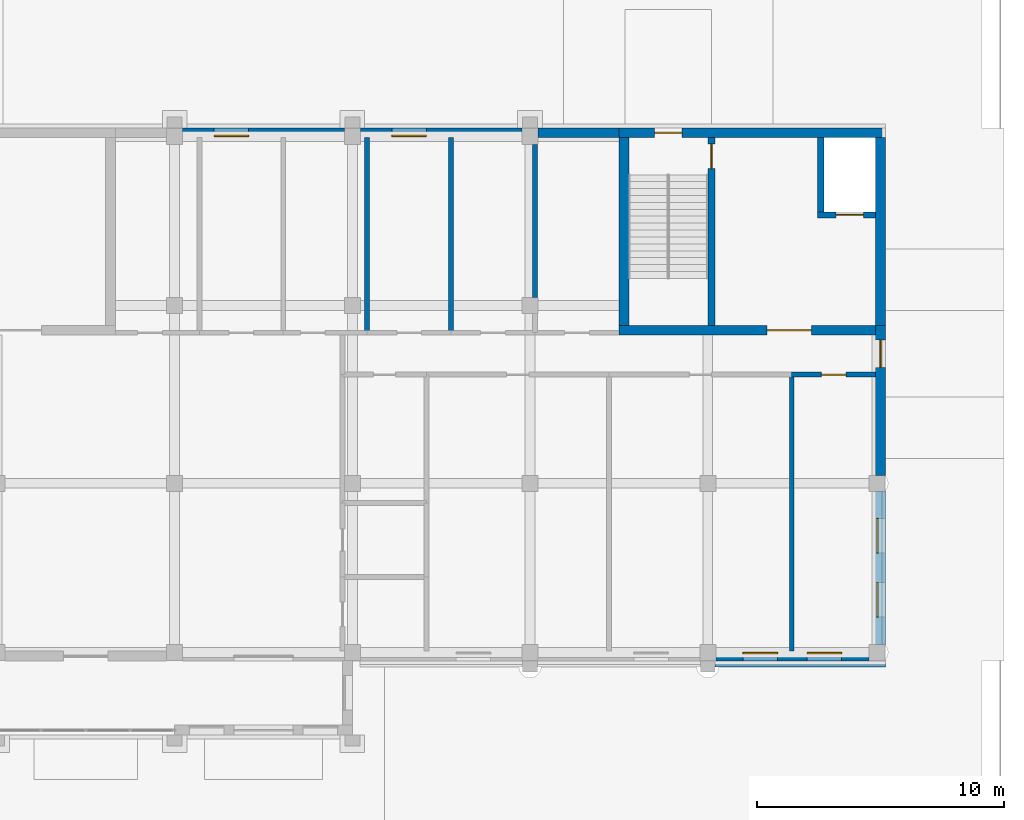
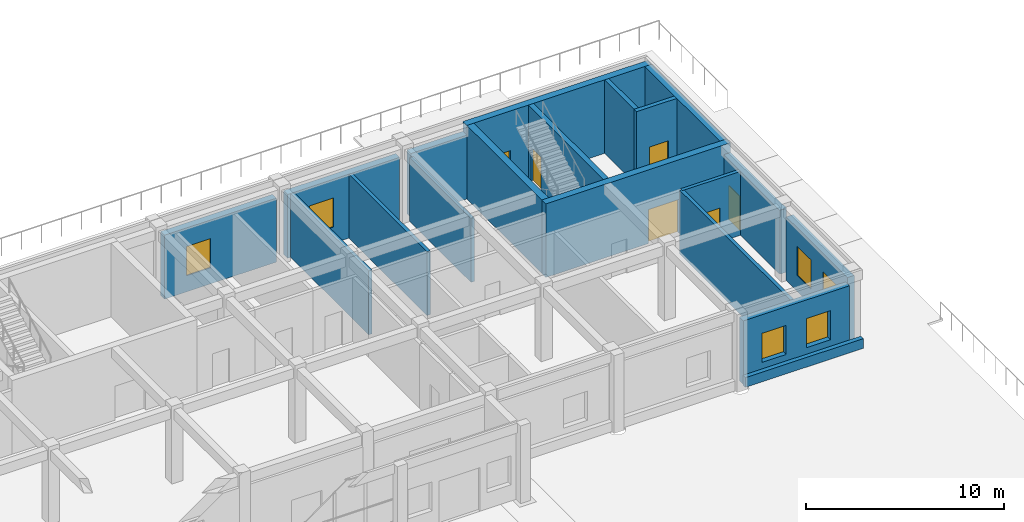
# One storey, part 102 of 131: 19 walls, 6 doors, 6 windows, 12 openings.
"""IFC4 building model written with IfcOpenShell, lengths in metres."""

from ifc_helpers import new_model, si_unit, direction, frame, frame_2d, origin, place, context, subcontext, project, spatial, rectangle, extrude, material, layer, layer_set, type_object, element, fill, save


model = new_model("IFC4")

# Units and contexts
model_context = context("Model", 3, precision=1e-05, world=origin(), true_north=direction((0.0, 1.0)))
body_context = subcontext(model_context, "Body", "Model", "MODEL_VIEW")
ifc_project = project(units=[si_unit("LENGTHUNIT", "METRE"), si_unit("AREAUNIT", "SQUARE_METRE"), si_unit("VOLUMEUNIT", "CUBIC_METRE"), si_unit("PLANEANGLEUNIT", "RADIAN"), si_unit("MASSUNIT", "GRAM", prefix="KILO")], contexts=[model_context])

# Site, building, storey
site_placement = place(None, origin())
site = spatial("IfcSite", under=ifc_project, at=site_placement, CompositionType="ELEMENT")
building_placement = place(site_placement, origin())
building = spatial("IfcBuilding", under=site, at=building_placement, Name="Alderwick Market Hall", CompositionType="ELEMENT")
storey_placement = place(building_placement, frame((0.0, 0.0, 4.800048828125)))
storey = spatial("IfcBuildingStorey", under=building, at=storey_placement, Name="L00", CompositionType="ELEMENT", Elevation=4.800048828125)

# Wall, opening, door
ifc_material_1 = material(Name="Concrete 5000 psi (f'c 35 MPa)", Category="concrete")
ifc_layer_1 = layer(ifc_material_1, 0.39990234375)
ifc_layer_set_1 = layer_set([ifc_layer_1], Name="Concrete 5000 psi (f'c 35 MPa)")
wall_type_1 = type_object("IfcWallType", Name="F Core Wall Concrete 5000 psi 400", PredefinedType="SHEAR", material=ifc_layer_set_1)
wall_1_placement = place(storey_placement, frame((219.60009765625, 151.0, 0.0), z_axis=(0.0, 0.0, 1.0), x_axis=(1.0, 0.0, 0.0)))
wall_1 = element("IfcWall", 1, at=wall_1_placement, inside=storey, type_object=wall_type_1, Name="F.wall.L00.fac.back.11", PredefinedType="SHEAR", context=body_context, shape_type="SweptSolid", body=[
    extrude(rectangle(XDim=10.7998046875, YDim=0.39990234375, at=frame_2d((5.39990234375, 0.0))), origin(), (0.0, 0.0, 1.0), 4.550048828125),
])
opening_1_placement = place(wall_1_placement, frame((1.449951171875, 0.0, 0.0)))
opening_1 = element("IfcOpeningElement", 2, at=opening_1_placement, cuts=wall_1, Name="Opening F-D043", PredefinedType="OPENING", context=body_context, shape_type="SweptSolid", body=[
    extrude(rectangle(XDim=1.10009765625, YDim=2.10009765625, at=frame_2d((0.550048828125, 1.050048828125))), frame((0.0, 0.2099609375, 0.0), z_axis=(0.0, -1.0, 0.0), x_axis=(1.0, 0.0, 0.0)), (0.0, 0.0, 1.0), 0.419921875),
])
ifc_material_2 = material(Name="Steel, insulated", Category="steel")
door_type_1 = type_object("IfcDoorType", Name="F Exit Door FD60 1100x2100", OperationType="NOTDEFINED", PredefinedType="DOOR", material=ifc_material_2)
door_1_placement = place(opening_1_placement, origin())
door_1 = element("IfcDoor", 3, at=door_1_placement, inside=storey, type_object=door_type_1, Name="F.door.L00.043", OperationType="NOTDEFINED", OverallHeight=2.10009765625, OverallWidth=1.10009765625, PredefinedType="DOOR", context=body_context, shape_type="SweptSolid", body=[
    extrude(rectangle(XDim=1.10009765625, YDim=2.10009765625, at=frame_2d((0.550048828125, 1.050048828125))), frame((0.0, 0.02490234375, 0.0), z_axis=(0.0, -1.0, 0.0), x_axis=(1.0, 0.0, 0.0)), (0.0, 0.0, 1.0), 0.050048828125),
])
fill(opening_1, door_1)

# Wall
wall_2_placement = place(storey_placement, frame((230.199951171875, 150.800048828125, 0.0), z_axis=(0.0, 0.0, 1.0), x_axis=(0.0, -1.0, 0.0)))
element("IfcWall", 4, at=wall_2_placement, inside=storey, type_object=wall_type_1, Name="F.wall.L00.fac.east.03", PredefinedType="SHEAR", context=body_context, shape_type="SweptSolid", body=[
    extrude(rectangle(XDim=7.60009765625, YDim=0.39990234375, at=frame_2d((3.800048828125, 0.0))), origin(), (0.0, 0.0, 1.0), 4.550048828125),
])

# Wall, opening, door
wall_3_placement = place(storey_placement, frame((219.60009765625, 143.0, 0.0), z_axis=(0.0, 0.0, 1.0), x_axis=(1.0, 0.0, 0.0)))
wall_3 = element("IfcWall", 5, at=wall_3_placement, inside=storey, type_object=wall_type_1, Name="F.wall.L00.core.C.front.01", PredefinedType="SHEAR", context=body_context, shape_type="SweptSolid", body=[
    extrude(rectangle(XDim=10.7998046875, YDim=0.39990234375, at=frame_2d((5.39990234375, 0.0))), origin(), (0.0, 0.0, 1.0), 4.550048828125),
])
opening_2_placement = place(wall_3_placement, frame((6.0, 0.0, 0.0)))
opening_2 = element("IfcOpeningElement", 6, at=opening_2_placement, cuts=wall_3, Name="Opening F-D041", PredefinedType="OPENING", context=body_context, shape_type="SweptSolid", body=[
    extrude(rectangle(XDim=1.800048828125, YDim=2.10009765625, at=frame_2d((0.89990234375, 1.050048828125))), frame((0.0, 0.2099609375, 0.0), z_axis=(0.0, -1.0, 0.0), x_axis=(1.0, 0.0, 0.0)), (0.0, 0.0, 1.0), 0.419921875),
])
door_type_2 = type_object("IfcDoorType", Name="F Fire Door Pair FD90 1800x2100", OperationType="NOTDEFINED", PredefinedType="DOOR", material=ifc_material_2)
door_2_placement = place(opening_2_placement, origin())
door_2 = element("IfcDoor", 7, at=door_2_placement, inside=storey, type_object=door_type_2, Name="F.door.L00.041", OperationType="NOTDEFINED", OverallHeight=2.10009765625, OverallWidth=1.800048828125, PredefinedType="DOOR", context=body_context, shape_type="SweptSolid", body=[
    extrude(rectangle(XDim=1.800048828125, YDim=2.10009765625, at=frame_2d((0.89990234375, 1.050048828125))), frame((0.0, 0.02490234375, 0.0), z_axis=(0.0, -1.0, 0.0), x_axis=(1.0, 0.0, 0.0)), (0.0, 0.0, 1.0), 0.050048828125),
])
fill(opening_2, door_2)

# Wall
wall_4_placement = place(storey_placement, frame((219.800048828125, 143.199951171875, 0.0), z_axis=(0.0, 0.0, 1.0), x_axis=(0.0, 1.0, 0.0)))
element("IfcWall", 8, at=wall_4_placement, inside=storey, type_object=wall_type_1, Name="F.wall.L00.core.C.west.01", PredefinedType="SHEAR", context=body_context, shape_type="SweptSolid", body=[
    extrude(rectangle(XDim=7.60009765625, YDim=0.39990234375, at=frame_2d((3.800048828125, 0.0))), origin(), (0.0, 0.0, 1.0), 4.550048828125),
])

# Wall, openings, windows
ifc_layer_2 = layer(ifc_material_1, 0.39990234375)
ifc_layer_set_2 = layer_set([ifc_layer_2], Name="Concrete 5000 psi (f'c 35 MPa)")
wall_type_2 = type_object("IfcWallType", Name="F End Shear Wall Concrete 5000 psi 400", PredefinedType="SHEAR", material=ifc_layer_set_2)
wall_5_placement = place(storey_placement, frame((230.199951171875, 136.47509765625, 0.0), z_axis=(0.0, 0.0, 1.0), x_axis=(0.0, -1.0, 0.0)))
wall_5 = element("IfcWall", 9, at=wall_5_placement, inside=storey, type_object=wall_type_2, Name="F.wall.L00.fac.east.01", PredefinedType="SHEAR", context=body_context, shape_type="SweptSolid", body=[
    extrude(rectangle(XDim=6.2001953125, YDim=0.39990234375, at=frame_2d((3.10009765625, 0.0))), origin(), (0.0, 0.0, 1.0), 3.949951171875),
])
opening_3_placement = place(wall_5_placement, frame((1.10009765625, 0.0, 1.0)))
opening_3 = element("IfcOpeningElement", 10, at=opening_3_placement, cuts=wall_5, Name="Opening F-W018", PredefinedType="OPENING", context=body_context, shape_type="SweptSolid", body=[
    extrude(rectangle(XDim=1.39990234375, YDim=1.800048828125, at=frame_2d((0.699951171875, 0.89990234375))), frame((0.0, 0.2099609375, 0.0), z_axis=(0.0, -1.0, 0.0), x_axis=(1.0, 0.0, 0.0)), (0.0, 0.0, 1.0), 0.419921875),
])
opening_4_placement = place(wall_5_placement, frame((3.699951171875, 0.0, 1.0)))
opening_4 = element("IfcOpeningElement", 11, at=opening_4_placement, cuts=wall_5, Name="Opening F-W019", PredefinedType="OPENING", context=body_context, shape_type="SweptSolid", body=[
    extrude(rectangle(XDim=1.39990234375, YDim=1.800048828125, at=frame_2d((0.699951171875, 0.89990234375))), frame((0.0, 0.2099609375, 0.0), z_axis=(0.0, -1.0, 0.0), x_axis=(1.0, 0.0, 0.0)), (0.0, 0.0, 1.0), 0.419921875),
])
ifc_material_3 = material(Name="Aluminium frame, double glazing", Category="aluminium")
window_type = type_object("IfcWindowType", Name="F Base Window 1400x1800", PartitioningType="SINGLE_PANEL", PredefinedType="WINDOW", material=ifc_material_3)
window_1_placement = place(opening_3_placement, origin())
window_1 = element("IfcWindow", 12, at=window_1_placement, inside=storey, type_object=window_type, Name="F.win.L00.018", OverallHeight=1.800048828125, OverallWidth=1.39990234375, PartitioningType="SINGLE_PANEL", PredefinedType="WINDOW", context=body_context, shape_type="SweptSolid", body=[
    extrude(rectangle(XDim=1.39990234375, YDim=1.800048828125, at=frame_2d((0.699951171875, 0.89990234375))), frame((0.0, -0.090087890625, 0.0), z_axis=(0.0, -1.0, 0.0), x_axis=(1.0, 0.0, 0.0)), (0.0, 0.0, 1.0), 0.06005859375),
])
fill(opening_3, window_1)
window_2_placement = place(opening_4_placement, origin())
window_2 = element("IfcWindow", 13, at=window_2_placement, inside=storey, type_object=window_type, Name="F.win.L00.019", OverallHeight=1.800048828125, OverallWidth=1.39990234375, PartitioningType="SINGLE_PANEL", PredefinedType="WINDOW", context=body_context, shape_type="SweptSolid", body=[
    extrude(rectangle(XDim=1.39990234375, YDim=1.800048828125, at=frame_2d((0.699951171875, 0.89990234375))), frame((0.0, -0.090087890625, 0.0), z_axis=(0.0, -1.0, 0.0), x_axis=(1.0, 0.0, 0.0)), (0.0, 0.0, 1.0), 0.06005859375),
])
fill(opening_4, window_2)

# Wall, opening, door
wall_6_placement = place(storey_placement, frame((230.199951171875, 143.199951171875, 0.0), z_axis=(0.0, 0.0, 1.0), x_axis=(0.0, -1.0, 0.0)))
wall_6 = element("IfcWall", 14, at=wall_6_placement, inside=storey, type_object=wall_type_2, Name="F.wall.L00.fac.east.02", PredefinedType="SHEAR", context=body_context, shape_type="SweptSolid", body=[
    extrude(rectangle(XDim=6.074951171875, YDim=0.39990234375, at=frame_2d((3.03759765625, 0.0))), origin(), (0.0, 0.0, 1.0), 3.949951171875),
])
opening_5_placement = place(wall_6_placement, frame((0.60009765625, 0.0, 0.0)))
opening_5 = element("IfcOpeningElement", 15, at=opening_5_placement, cuts=wall_6, Name="Opening F-D007", PredefinedType="OPENING", context=body_context, shape_type="SweptSolid", body=[
    extrude(rectangle(XDim=1.10009765625, YDim=2.10009765625, at=frame_2d((0.550048828125, 1.050048828125))), frame((0.0, 0.2099609375, 0.0), z_axis=(0.0, -1.0, 0.0), x_axis=(1.0, 0.0, 0.0)), (0.0, 0.0, 1.0), 0.419921875),
])
door_3_placement = place(opening_5_placement, origin())
door_3 = element("IfcDoor", 16, at=door_3_placement, inside=storey, type_object=door_type_1, Name="F.door.L00.007", OperationType="NOTDEFINED", OverallHeight=2.10009765625, OverallWidth=1.10009765625, PredefinedType="DOOR", context=body_context, shape_type="SweptSolid", body=[
    extrude(rectangle(XDim=1.10009765625, YDim=2.10009765625, at=frame_2d((0.550048828125, 1.050048828125))), frame((0.0, 0.02490234375, 0.0), z_axis=(0.0, -1.0, 0.0), x_axis=(1.0, 0.0, 0.0)), (0.0, 0.0, 1.0), 0.050048828125),
])
fill(opening_5, door_3)

ifc_material_4 = material(Name="Gypsum board on steel studs", Category="steel")
ifc_layer_3 = layer(ifc_material_4, 0.199951171875)
ifc_layer_set_3 = layer_set([ifc_layer_3], Name="Gypsum board on steel studs")
wall_type_3 = type_object("IfcWallType", Name="F Fire Partition Wall 200", PredefinedType="PARTITIONING", material=ifc_layer_set_3)
wall_7_placement = place(storey_placement, frame((226.60009765625, 141.199951171875, 0.0), z_axis=(0.0, 0.0, 1.0), x_axis=(1.0, 0.0, 0.0)))
wall_7 = element("IfcWall", 17, at=wall_7_placement, inside=storey, type_object=wall_type_3, Name="F.wall.L00.part.006", PredefinedType="PARTITIONING", context=body_context, shape_type="SweptSolid", body=[
    extrude(rectangle(XDim=3.39990234375, YDim=0.199951171875, at=frame_2d((1.699951171875, 0.0))), origin(), (0.0, 0.0, 1.0), 3.949951171875),
])
opening_6_placement = place(wall_7_placement, frame((1.199951171875, 0.0, 0.0)))
opening_6 = element("IfcOpeningElement", 18, at=opening_6_placement, cuts=wall_7, Name="Opening F-D049", PredefinedType="OPENING", context=body_context, shape_type="SweptSolid", body=[
    extrude(rectangle(XDim=1.0, YDim=2.10009765625, at=frame_2d((0.5, 1.050048828125))), frame((0.0, 0.10986328125, 0.0), z_axis=(0.0, -1.0, 0.0), x_axis=(1.0, 0.0, 0.0)), (0.0, 0.0, 1.0), 0.219970703125),
])
door_type_3 = type_object("IfcDoorType", Name="F Fire Door FD60 1000x2100", OperationType="NOTDEFINED", PredefinedType="DOOR", material=ifc_material_2)
door_4_placement = place(opening_6_placement, origin())
door_4 = element("IfcDoor", 19, at=door_4_placement, inside=storey, type_object=door_type_3, Name="F.door.L00.049", OperationType="NOTDEFINED", OverallHeight=2.10009765625, OverallWidth=1.0, PredefinedType="DOOR", context=body_context, shape_type="SweptSolid", body=[
    extrude(rectangle(XDim=1.0, YDim=2.10009765625, at=frame_2d((0.5, 1.050048828125))), frame((0.0, 0.02490234375, 0.0), z_axis=(0.0, -1.0, 0.0), x_axis=(1.0, 0.0, 0.0)), (0.0, 0.0, 1.0), 0.050048828125),
])
fill(opening_6, door_4)

# Walls
wall_8_placement = place(storey_placement, frame((226.60009765625, 130.0, 0.0), z_axis=(0.0, 0.0, 1.0), x_axis=(0.0, 1.0, 0.0)))
element("IfcWall", 20, at=wall_8_placement, inside=storey, type_object=wall_type_3, Name="F.wall.L00.part.038", PredefinedType="PARTITIONING", context=body_context, shape_type="SweptSolid", body=[
    extrude(rectangle(XDim=11.199951171875, YDim=0.199951171875, at=frame_2d((5.60009765625, 0.0))), origin(), (0.0, 0.0, 1.0), 3.949951171875),
])
ifc_layer_4 = layer(ifc_material_1, 0.25)
ifc_layer_set_4 = layer_set([ifc_layer_4], Name="Concrete 5000 psi (f'c 35 MPa)")
wall_type_4 = type_object("IfcWallType", Name="F Lift Shaft Wall Concrete 5000 psi 250", PredefinedType="SHEAR", material=ifc_layer_set_4)
wall_9_placement = place(storey_placement, frame((227.77490234375, 147.550048828125, 0.0), z_axis=(0.0, 0.0, 1.0), x_axis=(0.0, 1.0, 0.0)))
element("IfcWall", 21, at=wall_9_placement, inside=storey, type_object=wall_type_4, Name="F.wall.L00.core.C.shaftw.01", PredefinedType="SHEAR", context=body_context, shape_type="SweptSolid", body=[
    extrude(rectangle(XDim=3.25, YDim=0.25, at=frame_2d((1.625, 0.0))), origin(), (0.0, 0.0, 1.0), 4.550048828125),
])

# Wall, opening, door
wall_10_placement = place(storey_placement, frame((227.64990234375, 147.675048828125, 0.0), z_axis=(0.0, 0.0, 1.0), x_axis=(1.0, 0.0, 0.0)))
wall_10 = element("IfcWall", 22, at=wall_10_placement, inside=storey, type_object=wall_type_4, Name="F.wall.L00.core.C.shaftf.01", PredefinedType="SHEAR", context=body_context, shape_type="SweptSolid", body=[
    extrude(rectangle(XDim=2.35009765625, YDim=0.25, at=frame_2d((1.175048828125, 0.0))), origin(), (0.0, 0.0, 1.0), 4.550048828125),
])
opening_7_placement = place(wall_10_placement, frame((0.75, 0.0, 0.0)))
opening_7 = element("IfcOpeningElement", 23, at=opening_7_placement, cuts=wall_10, Name="Opening F-D042", PredefinedType="OPENING", context=body_context, shape_type="SweptSolid", body=[
    extrude(rectangle(XDim=1.10009765625, YDim=2.10009765625, at=frame_2d((0.550048828125, 1.050048828125))), frame((0.0, 0.135009765625, 0.0), z_axis=(0.0, -1.0, 0.0), x_axis=(1.0, 0.0, 0.0)), (0.0, 0.0, 1.0), 0.27001953125),
])
ifc_material_5 = material(Name="Stainless steel", Category="steel")
door_type_4 = type_object("IfcDoorType", Name="F Lift Landing Door 1100x2100", OperationType="SLIDING_TO_LEFT", PredefinedType="DOOR", material=ifc_material_5)
door_5_placement = place(opening_7_placement, origin())
door_5 = element("IfcDoor", 24, at=door_5_placement, inside=storey, type_object=door_type_4, Name="F.door.L00.042", OperationType="SLIDING_TO_LEFT", OverallHeight=2.10009765625, OverallWidth=1.10009765625, PredefinedType="DOOR", context=body_context, shape_type="SweptSolid", body=[
    extrude(rectangle(XDim=1.10009765625, YDim=2.10009765625, at=frame_2d((0.550048828125, 1.050048828125))), frame((0.0, 0.02490234375, 0.0), z_axis=(0.0, -1.0, 0.0), x_axis=(1.0, 0.0, 0.0)), (0.0, 0.0, 1.0), 0.050048828125),
])
fill(opening_7, door_5)

# Walls
ifc_layer_5 = layer(ifc_material_4, 0.199951171875)
ifc_layer_set_5 = layer_set([ifc_layer_5], Name="Gypsum board on steel studs")
wall_type_5 = type_object("IfcWallType", Name="F Partition Wall 200", PredefinedType="PARTITIONING", material=ifc_layer_set_5)
for number, where, z_axis, x_axis, name in (
    (25, (209.39990234375, 142.89990234375, 0.0), (0.0, 0.0, 1.0), (0.0, 1.0, 0.0), "F.wall.L00.part.030"),
    (26, (212.800048828125, 142.89990234375, 0.0), (0.0, 0.0, 1.0), (0.0, 1.0, 0.0), "F.wall.L00.part.034"),
):
    element("IfcWall", number, at=place(storey_placement, frame(where, z_axis=z_axis, x_axis=x_axis)), inside=storey, type_object=wall_type_5, Name=name, PredefinedType="PARTITIONING", context=body_context, shape_type="SweptSolid", body=[
        extrude(rectangle(XDim=7.900146484375, YDim=0.199951171875, at=frame_2d((3.9501953125, 0.0))), origin(), (0.0, 0.0, 1.0), 3.949951171875),
    ])
wall_11_placement = place(storey_placement, frame((216.199951171875, 144.324951171875, 0.0), z_axis=(0.0, 0.0, 1.0), x_axis=(0.0, 1.0, 0.0)))
element("IfcWall", 27, at=wall_11_placement, inside=storey, type_object=wall_type_5, Name="F.wall.L00.part.036", PredefinedType="PARTITIONING", context=body_context, shape_type="SweptSolid", body=[
    extrude(rectangle(XDim=6.199951171875, YDim=0.199951171875, at=frame_2d((3.10009765625, 0.0))), origin(), (0.0, 0.0, 1.0), 3.949951171875),
])
ifc_material_6 = material(Name="Cast stone 5000 psi", Category="masonry")
ifc_layer_6 = layer(ifc_material_6, 0.25)
ifc_layer_set_6 = layer_set([ifc_layer_6], Name="Cast stone 5000 psi")
wall_type_6 = type_object("IfcWallType", Name="F Plinth Band Cast Stone 250x600", PredefinedType="SOLIDWALL", material=ifc_layer_set_6)
wall_12_placement = place(storey_placement, frame((230.39990234375, 129.47509765625, 0.0), z_axis=(0.0, 0.0, 1.0), x_axis=(-1.0, 0.0, 0.0)))
element("IfcWall", 28, at=wall_12_placement, inside=storey, type_object=wall_type_6, Name="F.wall.L00.plinth.front.07", PredefinedType="SOLIDWALL", context=body_context, shape_type="SweptSolid", body=[
    extrude(rectangle(XDim=6.89990234375, YDim=0.25, at=frame_2d((3.449951171875, 0.0))), origin(), (0.0, 0.0, 1.0), 0.599853515625),
])

# Wall, opening, door
ifc_layer_7 = layer(ifc_material_1, 0.300048828125)
ifc_layer_set_7 = layer_set([ifc_layer_7], Name="Concrete 5000 psi (f'c 35 MPa)")
wall_type_7 = type_object("IfcWallType", Name="F Stair Divider Wall Concrete 5000 psi 300", PredefinedType="SHEAR", material=ifc_layer_set_7)
wall_13_placement = place(storey_placement, frame((223.35009765625, 143.199951171875, 0.0), z_axis=(0.0, 0.0, 1.0), x_axis=(0.0, 1.0, 0.0)))
wall_13 = element("IfcWall", 29, at=wall_13_placement, inside=storey, type_object=wall_type_7, Name="F.wall.L00.core.C.div.01", PredefinedType="SHEAR", context=body_context, shape_type="SweptSolid", body=[
    extrude(rectangle(XDim=7.60009765625, YDim=0.300048828125, at=frame_2d((3.800048828125, 0.0))), origin(), (0.0, 0.0, 1.0), 4.550048828125),
])
opening_8_placement = place(wall_13_placement, frame((6.35009765625, 0.0, 0.0)))
opening_8 = element("IfcOpeningElement", 30, at=opening_8_placement, cuts=wall_13, Name="Opening F-D040", PredefinedType="OPENING", context=body_context, shape_type="SweptSolid", body=[
    extrude(rectangle(XDim=1.0, YDim=2.10009765625, at=frame_2d((0.5, 1.050048828125))), frame((0.0, 0.159912109375, 0.0), z_axis=(0.0, -1.0, 0.0), x_axis=(1.0, 0.0, 0.0)), (0.0, 0.0, 1.0), 0.320068359375),
])
door_type_5 = type_object("IfcDoorType", Name="F Fire Door FD90 1000x2100", OperationType="NOTDEFINED", PredefinedType="DOOR", material=ifc_material_2)
door_6_placement = place(opening_8_placement, origin())
door_6 = element("IfcDoor", 31, at=door_6_placement, inside=storey, type_object=door_type_5, Name="F.door.L00.040", OperationType="NOTDEFINED", OverallHeight=2.10009765625, OverallWidth=1.0, PredefinedType="DOOR", context=body_context, shape_type="SweptSolid", body=[
    extrude(rectangle(XDim=1.0, YDim=2.10009765625, at=frame_2d((0.5, 1.050048828125))), frame((0.0, 0.02490234375, 0.0), z_axis=(0.0, -1.0, 0.0), x_axis=(1.0, 0.0, 0.0)), (0.0, 0.0, 1.0), 0.050048828125),
])
fill(opening_8, door_6)

# Wall, openings, windows
ifc_material_7 = material(Name="Glazed terra-cotta ASTM C126 Grade S")
ifc_layer_8 = layer(ifc_material_7, 0.39990234375)
ifc_layer_set_8 = layer_set([ifc_layer_8], Name="Glazed terra-cotta ASTM C126 Grade S")
wall_type_8 = type_object("IfcWallType", Name="F Terra-cotta Faced Wall 400", PredefinedType="SOLIDWALL", material=ifc_layer_set_8)
wall_14_placement = place(storey_placement, frame((229.72509765625, 129.800048828125, 0.0), z_axis=(0.0, 0.0, 1.0), x_axis=(-1.0, 0.0, 0.0)))
wall_14 = element("IfcWall", 32, at=wall_14_placement, inside=storey, type_object=wall_type_8, Name="F.wall.L00.fac.front.10", PredefinedType="SOLIDWALL", context=body_context, shape_type="SweptSolid", body=[
    extrude(rectangle(XDim=6.2001953125, YDim=0.39990234375, at=frame_2d((3.10009765625, 0.0))), origin(), (0.0, 0.0, 1.0), 3.949951171875),
])
opening_9_placement = place(wall_14_placement, frame((1.10009765625, 0.0, 1.0)))
opening_9 = element("IfcOpeningElement", 33, at=opening_9_placement, cuts=wall_14, Name="Opening F-W011", PredefinedType="OPENING", context=body_context, shape_type="SweptSolid", body=[
    extrude(rectangle(XDim=1.39990234375, YDim=1.800048828125, at=frame_2d((0.699951171875, 0.89990234375))), frame((0.0, 0.2099609375, 0.0), z_axis=(0.0, -1.0, 0.0), x_axis=(1.0, 0.0, 0.0)), (0.0, 0.0, 1.0), 0.419921875),
])
opening_10_placement = place(wall_14_placement, frame((3.699951171875, 0.0, 1.0)))
opening_10 = element("IfcOpeningElement", 34, at=opening_10_placement, cuts=wall_14, Name="Opening F-W012", PredefinedType="OPENING", context=body_context, shape_type="SweptSolid", body=[
    extrude(rectangle(XDim=1.39990234375, YDim=1.800048828125, at=frame_2d((0.699951171875, 0.89990234375))), frame((0.0, 0.2099609375, 0.0), z_axis=(0.0, -1.0, 0.0), x_axis=(1.0, 0.0, 0.0)), (0.0, 0.0, 1.0), 0.419921875),
])
window_3_placement = place(opening_9_placement, origin())
window_3 = element("IfcWindow", 35, at=window_3_placement, inside=storey, type_object=window_type, Name="F.win.L00.011", OverallHeight=1.800048828125, OverallWidth=1.39990234375, PartitioningType="SINGLE_PANEL", PredefinedType="WINDOW", context=body_context, shape_type="SweptSolid", body=[
    extrude(rectangle(XDim=1.39990234375, YDim=1.800048828125, at=frame_2d((0.699951171875, 0.89990234375))), frame((0.0, -0.090087890625, 0.0), z_axis=(0.0, -1.0, 0.0), x_axis=(1.0, 0.0, 0.0)), (0.0, 0.0, 1.0), 0.06005859375),
])
fill(opening_9, window_3)
window_4_placement = place(opening_10_placement, origin())
window_4 = element("IfcWindow", 36, at=window_4_placement, inside=storey, type_object=window_type, Name="F.win.L00.012", OverallHeight=1.800048828125, OverallWidth=1.39990234375, PartitioningType="SINGLE_PANEL", PredefinedType="WINDOW", context=body_context, shape_type="SweptSolid", body=[
    extrude(rectangle(XDim=1.39990234375, YDim=1.800048828125, at=frame_2d((0.699951171875, 0.89990234375))), frame((0.0, -0.090087890625, 0.0), z_axis=(0.0, -1.0, 0.0), x_axis=(1.0, 0.0, 0.0)), (0.0, 0.0, 1.0), 0.06005859375),
])
fill(opening_10, window_4)

# Wall, opening, window
wall_15_placement = place(storey_placement, frame((201.925048828125, 151.0, 0.0), z_axis=(0.0, 0.0, 1.0), x_axis=(1.0, 0.0, 0.0)))
wall_15 = element("IfcWall", 37, at=wall_15_placement, inside=storey, type_object=wall_type_8, Name="F.wall.L00.fac.back.08", PredefinedType="SOLIDWALL", context=body_context, shape_type="SweptSolid", body=[
    extrude(rectangle(XDim=6.550048828125, YDim=0.39990234375, at=frame_2d((3.27490234375, 0.0))), origin(), (0.0, 0.0, 1.0), 3.949951171875),
])
opening_11_placement = place(wall_15_placement, frame((1.27490234375, 0.0, 1.0)))
opening_11 = element("IfcOpeningElement", 38, at=opening_11_placement, cuts=wall_15, Name="Opening F-W016", PredefinedType="OPENING", context=body_context, shape_type="SweptSolid", body=[
    extrude(rectangle(XDim=1.39990234375, YDim=1.800048828125, at=frame_2d((0.699951171875, 0.89990234375))), frame((0.0, 0.2099609375, 0.0), z_axis=(0.0, -1.0, 0.0), x_axis=(1.0, 0.0, 0.0)), (0.0, 0.0, 1.0), 0.419921875),
])
window_5_placement = place(opening_11_placement, origin())
window_5 = element("IfcWindow", 39, at=window_5_placement, inside=storey, type_object=window_type, Name="F.win.L00.016", OverallHeight=1.800048828125, OverallWidth=1.39990234375, PartitioningType="SINGLE_PANEL", PredefinedType="WINDOW", context=body_context, shape_type="SweptSolid", body=[
    extrude(rectangle(XDim=1.39990234375, YDim=1.800048828125, at=frame_2d((0.699951171875, 0.89990234375))), frame((0.0, -0.090087890625, 0.0), z_axis=(0.0, -1.0, 0.0), x_axis=(1.0, 0.0, 0.0)), (0.0, 0.0, 1.0), 0.06005859375),
])
fill(opening_11, window_5)

wall_16_placement = place(storey_placement, frame((209.125, 151.0, 0.0), z_axis=(0.0, 0.0, 1.0), x_axis=(1.0, 0.0, 0.0)))
wall_16 = element("IfcWall", 40, at=wall_16_placement, inside=storey, type_object=wall_type_8, Name="F.wall.L00.fac.back.09", PredefinedType="SOLIDWALL", context=body_context, shape_type="SweptSolid", body=[
    extrude(rectangle(XDim=6.550048828125, YDim=0.39990234375, at=frame_2d((3.27490234375, 0.0))), origin(), (0.0, 0.0, 1.0), 3.949951171875),
])
opening_12_placement = place(wall_16_placement, frame((1.27490234375, 0.0, 1.0)))
opening_12 = element("IfcOpeningElement", 41, at=opening_12_placement, cuts=wall_16, Name="Opening F-W017", PredefinedType="OPENING", context=body_context, shape_type="SweptSolid", body=[
    extrude(rectangle(XDim=1.39990234375, YDim=1.800048828125, at=frame_2d((0.699951171875, 0.89990234375))), frame((0.0, 0.2099609375, 0.0), z_axis=(0.0, -1.0, 0.0), x_axis=(1.0, 0.0, 0.0)), (0.0, 0.0, 1.0), 0.419921875),
])
window_6_placement = place(opening_12_placement, origin())
window_6 = element("IfcWindow", 42, at=window_6_placement, inside=storey, type_object=window_type, Name="F.win.L00.017", OverallHeight=1.800048828125, OverallWidth=1.39990234375, PartitioningType="SINGLE_PANEL", PredefinedType="WINDOW", context=body_context, shape_type="SweptSolid", body=[
    extrude(rectangle(XDim=1.39990234375, YDim=1.800048828125, at=frame_2d((0.699951171875, 0.89990234375))), frame((0.0, -0.090087890625, 0.0), z_axis=(0.0, -1.0, 0.0), x_axis=(1.0, 0.0, 0.0)), (0.0, 0.0, 1.0), 0.06005859375),
])
fill(opening_12, window_6)

# Wall
wall_17_placement = place(storey_placement, frame((216.324951171875, 151.0, 0.0), z_axis=(0.0, 0.0, 1.0), x_axis=(1.0, 0.0, 0.0)))
element("IfcWall", 43, at=wall_17_placement, inside=storey, type_object=wall_type_8, Name="F.wall.L00.fac.back.10", PredefinedType="SOLIDWALL", context=body_context, shape_type="SweptSolid", body=[
    extrude(rectangle(XDim=3.275146484375, YDim=0.39990234375, at=frame_2d((1.6376953125, 0.0))), origin(), (0.0, 0.0, 1.0), 3.949951171875),
])

save(model, "model.ifc")
